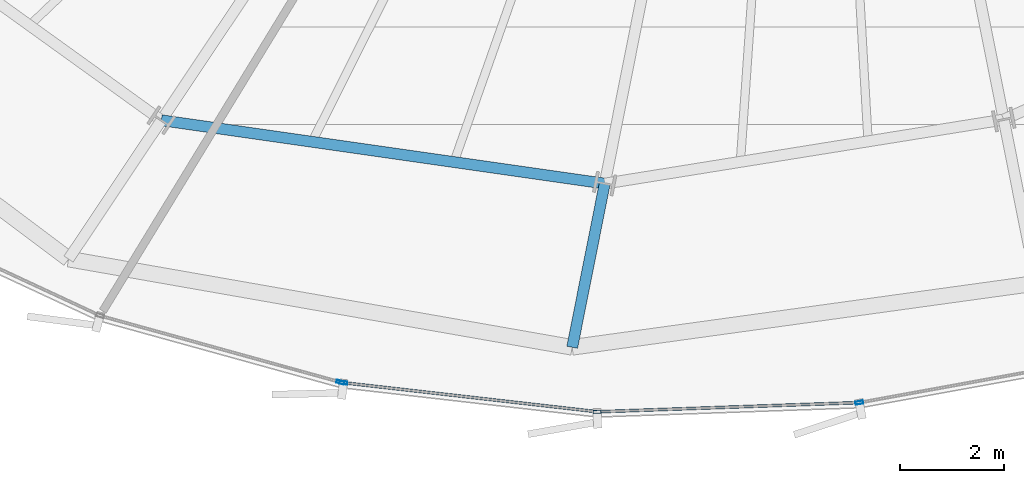
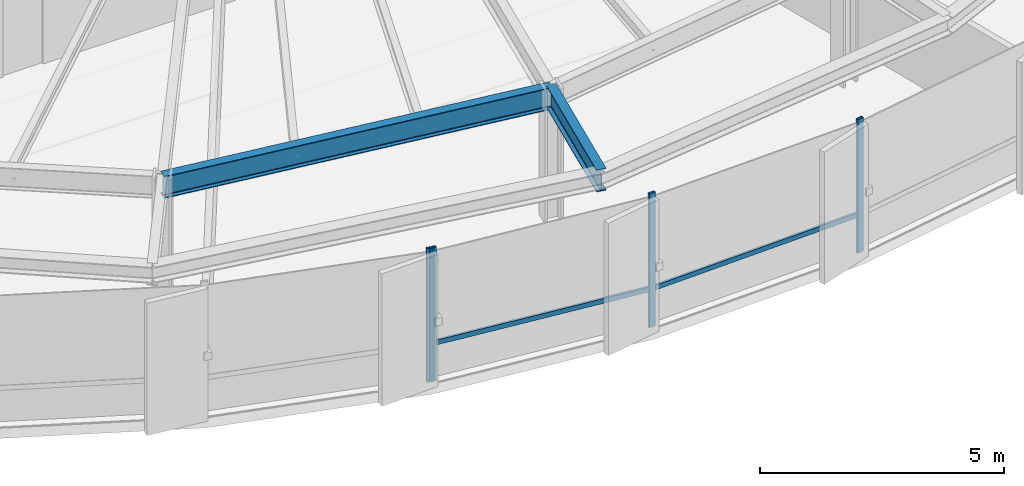
# One storey, part 5 of 35: 6 members, 2 beams, 2 elements without a shape of their own.
"""IFC4 building model written with IfcOpenShell, lengths in metres."""

from ifc_helpers import new_model, si_unit, direction, frame, origin, origin_2d, place, context, subcontext, project, spatial, hollow_rectangle, i_section, extrude, source, transform, mapped, material, layer, layer_set, material_profile, profile_set, type_object, element, aggregate, save


model = new_model("IFC4")

# Units and contexts
model_context = context("Model", 3, precision=1e-05, world=origin(), true_north=direction((0.0, 1.0)))
body_context = subcontext(model_context, "Body", "Model", "MODEL_VIEW")
ifc_project = project(units=[si_unit("LENGTHUNIT", "METRE"), si_unit("AREAUNIT", "SQUARE_METRE"), si_unit("VOLUMEUNIT", "CUBIC_METRE"), si_unit("PLANEANGLEUNIT", "RADIAN"), si_unit("MASSUNIT", "GRAM", prefix="KILO"), si_unit("THERMODYNAMICTEMPERATUREUNIT", "KELVIN")], contexts=[model_context])

# Site, building, storey
site_placement = place(None, origin())
site = spatial("IfcSite", under=ifc_project, at=site_placement, CompositionType="ELEMENT")
building_placement = place(site_placement, origin())
building = spatial("IfcBuilding", under=site, at=building_placement, Name="Kethvar Cultural Tower", CompositionType="ELEMENT")
storey_placement = place(building_placement, frame((0.0, 0.0, 92.800048828125)))
storey = spatial("IfcBuildingStorey", under=building, at=storey_placement, Name="L22", CompositionType="ELEMENT", Elevation=92.800048828125)

# Beams
ifc_material_1 = material(Name="Steel S355J2", Category="steel")
ifc_material_profile_1 = material_profile(ifc_material_1, i_section(OverallWidth=0.2099609375, OverallDepth=0.550048828125, WebThickness=0.010986328125, FlangeThickness=0.01708984375, FilletRadius=0.02392578125, at=origin_2d()), Name="Steel S355J2 — IPE550")
ifc_profile_set_1 = profile_set([ifc_material_profile_1], Name="Steel S355J2 — IPE550")
beam_type = type_object("IfcBeamType", Name="BM-IPE550", PredefinedType="BEAM", material=ifc_profile_set_1)
shared_shape_1 = source(origin(), body_context, "Body", "SweptSolid", [
    extrude(i_section(OverallWidth=0.2099609375, OverallDepth=0.550048828125, WebThickness=0.010986328125, FlangeThickness=0.01708984375, FilletRadius=0.02392578125, at=origin_2d()), origin(), (0.0, 0.0, 1.0), 3.2001953125),
])
beam_1_placement = place(storey_placement, frame((42.852294921875, 7.95361328125, 3.072998046875), z_axis=(-0.195074368086, -0.980788453702, 0.0), x_axis=(0.980788453702, -0.195074368086, 0.0)))
element("IfcBeam", 1, at=beam_1_placement, inside=storey, type_object=beam_type, Name="L22 Perimeter Cantilever Beam RC-12", PredefinedType="BEAM", context=body_context, shape_type="MappedRepresentation", body=[
    mapped(shared_shape_1, transform((0.0, 0.0, 0.0), scale=1.0)),
])
shared_shape_2 = source(origin(), body_context, "Body", "SweptSolid", [
    extrude(i_section(OverallWidth=0.2099609375, OverallDepth=0.550048828125, WebThickness=0.010986328125, FlangeThickness=0.01708984375, FilletRadius=0.02392578125, at=origin_2d()), origin(), (0.0, 0.0, 1.0), 8.587890625),
])
beam_2_placement = place(storey_placement, frame((34.350830078125, 9.16845703125, 3.072998046875), z_axis=(0.989943807123, -0.141461156288, 0.0), x_axis=(0.141461156288, 0.989943807123, 0.0)))
element("IfcBeam", 2, at=beam_2_placement, inside=storey, type_object=beam_type, Name="L22 Column Ring Tie Beam CR-11", PredefinedType="BEAM", context=body_context, shape_type="MappedRepresentation", body=[
    mapped(shared_shape_2, transform((0.0, 0.0, 0.0), scale=1.0)),
])

# Curtain wall, member
ifc_material_2 = material(Name="Aluminium 6063-T6", Category="aluminium")
ifc_layer = layer(ifc_material_2, 0.179931640625, Name="Aluminium 6063-T6", Category="aluminium")
ifc_layer_set = layer_set([ifc_layer], Name="Aluminium 6063-T6 (180 mm)")
curtain_wall_type = type_object("IfcCurtainWallType", Name="CW-SYS-03-Z2", PredefinedType="NOTDEFINED", material=ifc_layer_set)
curtain_wall_1_placement = place(storey_placement, origin())
curtain_wall_1 = element("IfcCurtainWall", 3, at=curtain_wall_1_placement, inside=storey, type_object=curtain_wall_type, Name="L22 Curtain Wall Run 04", PredefinedType="NOTDEFINED")
ifc_material_profile_2 = material_profile(ifc_material_2, hollow_rectangle(XDim=0.06005859375, YDim=0.14990234375, WallThickness=0.0048828125, at=origin_2d()), Name="Aluminium 6063-T6 — RHS150x60x5")
ifc_profile_set_2 = profile_set([ifc_material_profile_2], Name="Aluminium 6063-T6 — RHS150x60x5")
member_type_1 = type_object("IfcMemberType", Name="CW-SYS-03-Z2-MUL", PredefinedType="MULLION", material=ifc_profile_set_2)
shared_shape_3 = source(origin(), body_context, "Body", "SweptSolid", [
    extrude(hollow_rectangle(XDim=0.06005859375, YDim=0.14990234375, WallThickness=0.0048828125, at=origin_2d()), origin(), (0.0, 0.0, 1.0), 3.349853515625),
])
member_1_placement = place(storey_placement, frame((37.782958984375, 4.147216796875, 0.0), z_axis=(0.0, 0.0, 1.0), x_axis=(0.266515104347, 0.963830741964, 0.0)))
member_1 = element("IfcMember", 4, at=member_1_placement, type_object=member_type_1, Name="CW-L22-R04 Mullion 7", PredefinedType="MULLION", context=body_context, shape_type="MappedRepresentation", body=[
    mapped(shared_shape_3, transform((0.0, 0.0, 0.0), scale=1.0)),
])
aggregate(curtain_wall_1, [member_1])

# Curtain wall, members
curtain_wall_2_placement = place(storey_placement, origin())
curtain_wall_2 = element("IfcCurtainWall", 5, at=curtain_wall_2_placement, inside=storey, type_object=curtain_wall_type, Name="L22 Curtain Wall Run 05", PredefinedType="NOTDEFINED")
member_2_placement = place(storey_placement, frame((37.841796875, 4.1357421875, 0.0), z_axis=(0.0, 0.0, 1.0), x_axis=(0.113550028869, 0.993532279769, 0.0)))
member_2 = element("IfcMember", 6, at=member_2_placement, type_object=member_type_1, Name="CW-L22-R05 Mullion 1", PredefinedType="MULLION", context=body_context, shape_type="MappedRepresentation", body=[
    mapped(shared_shape_3, transform((0.0, 0.0, 0.0), scale=1.0)),
])
member_3_placement = place(storey_placement, frame((42.705810546875, 3.57861328125, 0.0), z_axis=(0.0, 0.0, 1.0), x_axis=(-0.035091365323, 0.999384108379, 0.0)))
member_3 = element("IfcMember", 7, at=member_3_placement, type_object=member_type_1, Name="CW-L22-R05 Mullion 2", PredefinedType="MULLION", context=body_context, shape_type="MappedRepresentation", body=[
    mapped(shared_shape_3, transform((0.0, 0.0, 0.0), scale=1.0)),
])
member_4_placement = place(storey_placement, frame((47.7333984375, 3.75390625, 0.0), z_axis=(0.0, 0.0, 1.0), x_axis=(-0.178767870941, 0.983891278709, 0.0)))
member_4 = element("IfcMember", 8, at=member_4_placement, type_object=member_type_1, Name="CW-L22-R05 Mullion 3", PredefinedType="MULLION", context=body_context, shape_type="MappedRepresentation", body=[
    mapped(shared_shape_3, transform((0.0, 0.0, 0.0), scale=1.0)),
])
ifc_material_profile_3 = material_profile(ifc_material_2, hollow_rectangle(XDim=0.054931640625, YDim=0.1201171875, WallThickness=0.00390625, at=origin_2d()), Name="Aluminium 6063-T6 — RHS120x55x4")
ifc_profile_set_3 = profile_set([ifc_material_profile_3], Name="Aluminium 6063-T6 — RHS120x55x4")
member_type_2 = type_object("IfcMemberType", Name="CW-SYS-03-Z2-TRN", PredefinedType="USERDEFINED", material=ifc_profile_set_3)
shared_shape_4 = source(origin(), body_context, "Body", "SweptSolid", [
    extrude(hollow_rectangle(XDim=0.054931640625, YDim=0.1201171875, WallThickness=0.00390625, at=origin_2d()), origin(), (0.0, 0.0, 1.0), 4.865234375),
])
member_5_placement = place(storey_placement, frame((37.845947265625, 4.135498046875, 0.949951171875), z_axis=(0.993531216884, -0.113559328441, 0.0), x_axis=(0.113559328441, 0.993531216884, 0.0)))
member_5 = element("IfcMember", 9, at=member_5_placement, type_object=member_type_2, Name="CW-L22-R05 Transom 1", ObjectType="TRANSOM", PredefinedType="USERDEFINED", context=body_context, shape_type="MappedRepresentation", body=[
    mapped(shared_shape_4, transform((0.0, 0.0, 0.0), scale=1.0)),
])
shared_shape_5 = source(origin(), body_context, "Body", "SweptSolid", [
    extrude(hollow_rectangle(XDim=0.054931640625, YDim=0.1201171875, WallThickness=0.00390625, at=origin_2d()), origin(), (0.0, 0.0, 1.0), 4.961181640625),
])
member_6_placement = place(storey_placement, frame((42.748779296875, 3.580078125, 0.949951171875), z_axis=(0.99938423716, 0.035087697513, 0.0), x_axis=(-0.035087697513, 0.99938423716, 0.0)))
member_6 = element("IfcMember", 10, at=member_6_placement, type_object=member_type_2, Name="CW-L22-R05 Transom 2", ObjectType="TRANSOM", PredefinedType="USERDEFINED", context=body_context, shape_type="MappedRepresentation", body=[
    mapped(shared_shape_5, transform((0.0, 0.0, 0.0), scale=1.0)),
])
aggregate(curtain_wall_2, [member_2, member_3, member_4, member_5, member_6])

save(model, "model.ifc")
